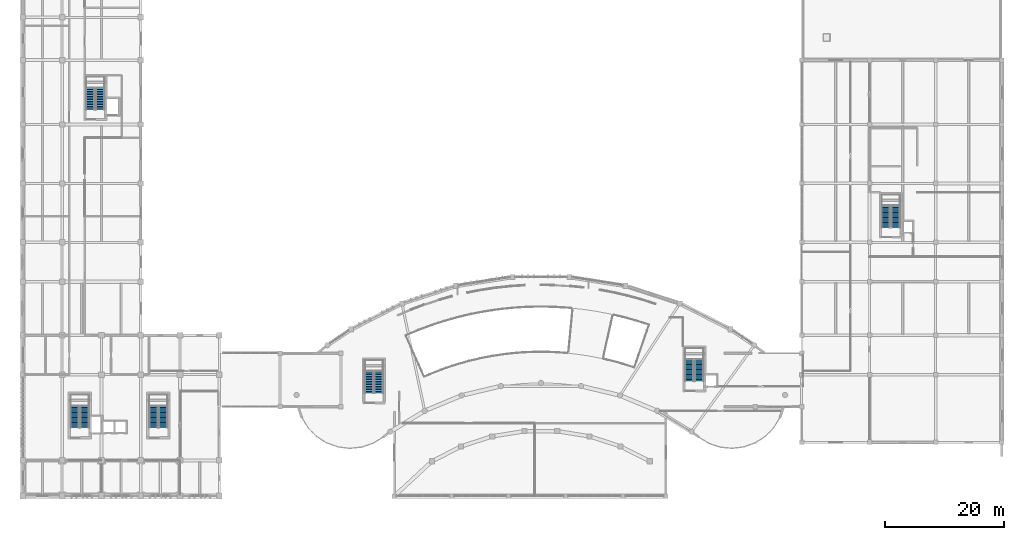
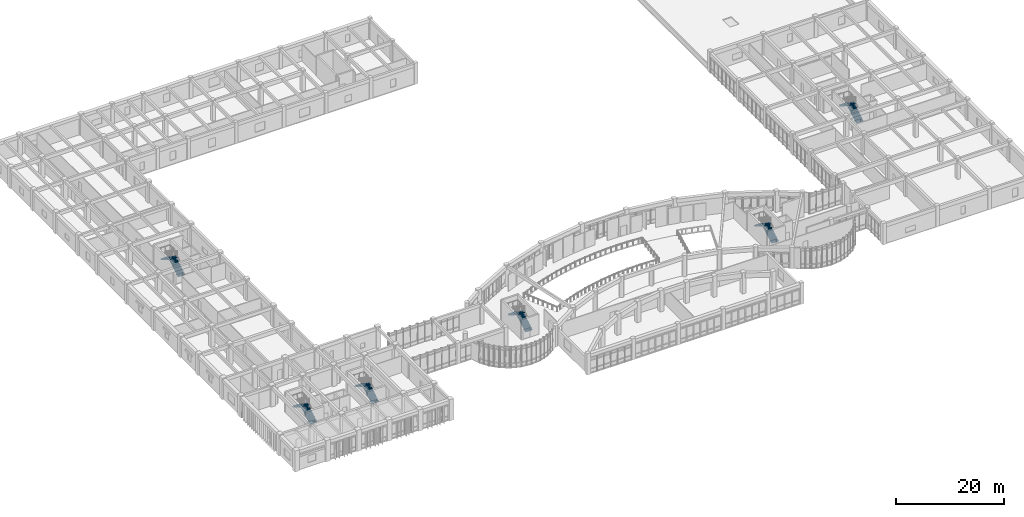
# One storey, part 57 of 68: 12 stair flights, 6 elements without a shape of their own.
"""IFC4 building model written with IfcOpenShell, lengths in metres."""

from ifc_helpers import new_model, si_unit, direction, frame, origin, place, context, subcontext, project, spatial, polyline, outline, extrude, material, layer, layer_set, type_object, element, aggregate, save


model = new_model("IFC4")

# Units and contexts
model_context = context("Model", 3, precision=1e-05, world=origin(), true_north=direction((0.0, 1.0)))
body_context = subcontext(model_context, "Body", "Model", "MODEL_VIEW")
ifc_project = project(units=[si_unit("LENGTHUNIT", "METRE"), si_unit("AREAUNIT", "SQUARE_METRE"), si_unit("VOLUMEUNIT", "CUBIC_METRE"), si_unit("PLANEANGLEUNIT", "RADIAN"), si_unit("MASSUNIT", "GRAM", prefix="KILO")], contexts=[model_context])

# Site, building, storey
site_placement = place(None, origin())
site = spatial("IfcSite", under=ifc_project, at=site_placement, CompositionType="ELEMENT")
building_placement = place(site_placement, origin())
building = spatial("IfcBuilding", under=site, at=building_placement, Name="Miralva Faculty of Natural Sciences", CompositionType="ELEMENT")
storey_placement = place(building_placement, frame((0.0, 0.0, 5.39990234375)))
storey = spatial("IfcBuildingStorey", under=building, at=storey_placement, Name="L01", CompositionType="ELEMENT", Elevation=5.39990234375)

# Stair, stair flights
ifc_material = material(Name="Concrete C40/50", Category="concrete")
stair_type = type_object("IfcStairType", Name="ST-CORE-480", PredefinedType="HALF_TURN_STAIR", material=ifc_material)
stair_1_placement = place(storey_placement, origin())
stair_1 = element("IfcStair", 1, at=stair_1_placement, inside=storey, type_object=stair_type, Name="Exit Stair Core C1 (ST-02) L01", PredefinedType="HALF_TURN_STAIR")
ifc_layer = layer(ifc_material, 0.159912109375, Name="SFL-160-171")
ifc_layer_set = layer_set([ifc_layer], Name="Concrete C40/50")
stair_flight_type = type_object("IfcStairFlightType", Name="SFL-160-171", PredefinedType="STRAIGHT", material=ifc_layer_set)
stair_flight_1_placement = place(storey_placement, frame((13.39990234375, 14.5, 0.0), z_axis=(0.0, 0.0, 1.0), x_axis=(0.0, 1.0, 0.0)))
stair_flight_1 = element("IfcStairFlight", 2, at=stair_flight_1_placement, type_object=stair_flight_type, Name="ST-02 flight 1", NumberOfRisers=14, NumberOfTreads=13, PredefinedType="STRAIGHT", RiserHeight=0.171428571, TreadLength=0.28, context=body_context, shape_type="SweptSolid", body=[
    extrude(outline(polyline([(0.0, 0.0), (0.0, 0.17138671875), (0.280029296875, 0.17138671875), (0.280029296875, 0.3427734375), (0.56005859375, 0.3427734375), (0.56005859375, 0.514404296875), (0.840087890625, 0.514404296875), (0.840087890625, 0.685791015625), (1.1201171875, 0.685791015625), (1.1201171875, 0.857177734375), (1.39990234375, 0.857177734375), (1.39990234375, 1.028564453125), (1.679931640625, 1.028564453125), (1.679931640625, 1.199951171875), (1.9599609375, 1.199951171875), (1.9599609375, 1.371337890625), (2.239990234375, 1.371337890625), (2.239990234375, 1.54296875), (2.52001953125, 1.54296875), (2.52001953125, 1.71435546875), (2.800048828125, 1.71435546875), (2.800048828125, 1.8857421875), (3.080078125, 1.8857421875), (3.080078125, 2.05712890625), (3.360107421875, 2.05712890625), (3.360107421875, 2.228515625), (3.639892578125, 2.228515625), (3.639892578125, 2.39990234375), (3.639892578125, 2.052734375), (0.287109375, 0.0), (0.0, 0.0)])), frame((0.0, 0.75, 0.0), z_axis=(0.0, -1.0, 0.0), x_axis=(1.0, 0.0, 0.0)), (0.0, 0.0, 1.0), 1.5),
])
stair_flight_2_placement = place(storey_placement, frame((11.75, 18.139892578125, 2.400146484375), z_axis=(0.0, 0.0, 1.0), x_axis=(0.0, -1.0, 0.0)))
stair_flight_2 = element("IfcStairFlight", 3, at=stair_flight_2_placement, type_object=stair_flight_type, Name="ST-02 flight 2", NumberOfRisers=14, NumberOfTreads=13, PredefinedType="STRAIGHT", RiserHeight=0.171428571, TreadLength=0.28, context=body_context, shape_type="SweptSolid", body=[
    extrude(outline(polyline([(0.0, 0.0), (0.0, 0.17138671875), (0.280029296875, 0.17138671875), (0.280029296875, 0.3427734375), (0.56005859375, 0.3427734375), (0.56005859375, 0.514404296875), (0.840087890625, 0.514404296875), (0.840087890625, 0.685791015625), (1.1201171875, 0.685791015625), (1.1201171875, 0.857177734375), (1.39990234375, 0.857177734375), (1.39990234375, 1.028564453125), (1.679931640625, 1.028564453125), (1.679931640625, 1.199951171875), (1.9599609375, 1.199951171875), (1.9599609375, 1.371337890625), (2.239990234375, 1.371337890625), (2.239990234375, 1.54296875), (2.52001953125, 1.54296875), (2.52001953125, 1.71435546875), (2.800048828125, 1.71435546875), (2.800048828125, 1.8857421875), (3.080078125, 1.8857421875), (3.080078125, 2.05712890625), (3.360107421875, 2.05712890625), (3.360107421875, 2.228515625), (3.639892578125, 2.228515625), (3.639892578125, 2.39990234375), (3.639892578125, 2.052734375), (0.287109375, 0.0), (0.0, 0.0)])), frame((0.0, 0.75, 0.0), z_axis=(0.0, -1.0, 0.0), x_axis=(1.0, 0.0, 0.0)), (0.0, 0.0, 1.0), 1.5),
])
aggregate(stair_1, [stair_flight_1, stair_flight_2])

stair_2_placement = place(storey_placement, origin())
stair_2 = element("IfcStair", 4, at=stair_2_placement, inside=storey, type_object=stair_type, Name="Exit Stair Core C1B (ST-02) L01", PredefinedType="HALF_TURN_STAIR")
stair_flight_3_placement = place(storey_placement, frame((26.60009765625, 14.5, 0.0), z_axis=(0.0, 0.0, 1.0), x_axis=(0.0, 1.0, 0.0)))
stair_flight_3 = element("IfcStairFlight", 5, at=stair_flight_3_placement, type_object=stair_flight_type, Name="ST-02 flight 1", NumberOfRisers=14, NumberOfTreads=13, PredefinedType="STRAIGHT", RiserHeight=0.171428571, TreadLength=0.28, context=body_context, shape_type="SweptSolid", body=[
    extrude(outline(polyline([(0.0, 0.0), (0.0, 0.17138671875), (0.280029296875, 0.17138671875), (0.280029296875, 0.3427734375), (0.56005859375, 0.3427734375), (0.56005859375, 0.514404296875), (0.840087890625, 0.514404296875), (0.840087890625, 0.685791015625), (1.1201171875, 0.685791015625), (1.1201171875, 0.857177734375), (1.39990234375, 0.857177734375), (1.39990234375, 1.028564453125), (1.679931640625, 1.028564453125), (1.679931640625, 1.199951171875), (1.9599609375, 1.199951171875), (1.9599609375, 1.371337890625), (2.239990234375, 1.371337890625), (2.239990234375, 1.54296875), (2.52001953125, 1.54296875), (2.52001953125, 1.71435546875), (2.800048828125, 1.71435546875), (2.800048828125, 1.8857421875), (3.080078125, 1.8857421875), (3.080078125, 2.05712890625), (3.360107421875, 2.05712890625), (3.360107421875, 2.228515625), (3.639892578125, 2.228515625), (3.639892578125, 2.39990234375), (3.639892578125, 2.052734375), (0.287109375, 0.0), (0.0, 0.0)])), frame((0.0, 0.75, 0.0), z_axis=(0.0, -1.0, 0.0), x_axis=(1.0, 0.0, 0.0)), (0.0, 0.0, 1.0), 1.5),
])
stair_flight_4_placement = place(storey_placement, frame((24.949951171875, 18.139892578125, 2.400146484375), z_axis=(0.0, 0.0, 1.0), x_axis=(0.0, -1.0, 0.0)))
stair_flight_4 = element("IfcStairFlight", 6, at=stair_flight_4_placement, type_object=stair_flight_type, Name="ST-02 flight 2", NumberOfRisers=14, NumberOfTreads=13, PredefinedType="STRAIGHT", RiserHeight=0.171428571, TreadLength=0.28, context=body_context, shape_type="SweptSolid", body=[
    extrude(outline(polyline([(0.0, 0.0), (0.0, 0.17138671875), (0.280029296875, 0.17138671875), (0.280029296875, 0.3427734375), (0.56005859375, 0.3427734375), (0.56005859375, 0.514404296875), (0.840087890625, 0.514404296875), (0.840087890625, 0.685791015625), (1.1201171875, 0.685791015625), (1.1201171875, 0.857177734375), (1.39990234375, 0.857177734375), (1.39990234375, 1.028564453125), (1.679931640625, 1.028564453125), (1.679931640625, 1.199951171875), (1.9599609375, 1.199951171875), (1.9599609375, 1.371337890625), (2.239990234375, 1.371337890625), (2.239990234375, 1.54296875), (2.52001953125, 1.54296875), (2.52001953125, 1.71435546875), (2.800048828125, 1.71435546875), (2.800048828125, 1.8857421875), (3.080078125, 1.8857421875), (3.080078125, 2.05712890625), (3.360107421875, 2.05712890625), (3.360107421875, 2.228515625), (3.639892578125, 2.228515625), (3.639892578125, 2.39990234375), (3.639892578125, 2.052734375), (0.287109375, 0.0), (0.0, 0.0)])), frame((0.0, 0.75, 0.0), z_axis=(0.0, -1.0, 0.0), x_axis=(1.0, 0.0, 0.0)), (0.0, 0.0, 1.0), 1.5),
])
aggregate(stair_2, [stair_flight_3, stair_flight_4])

stair_3_placement = place(storey_placement, origin())
stair_3 = element("IfcStair", 7, at=stair_3_placement, inside=storey, type_object=stair_type, Name="Exit Stair Core C2 (ST-02) L01", PredefinedType="HALF_TURN_STAIR")
stair_flight_5_placement = place(storey_placement, frame((16.0, 67.89990234375, 0.0), z_axis=(0.0, 0.0, 1.0), x_axis=(0.0, 1.0, 0.0)))
stair_flight_5 = element("IfcStairFlight", 8, at=stair_flight_5_placement, type_object=stair_flight_type, Name="ST-02 flight 1", NumberOfRisers=14, NumberOfTreads=13, PredefinedType="STRAIGHT", RiserHeight=0.171428571, TreadLength=0.28, context=body_context, shape_type="SweptSolid", body=[
    extrude(outline(polyline([(0.0, 0.0), (0.0, 0.17138671875), (0.280029296875, 0.17138671875), (0.280029296875, 0.3427734375), (0.56005859375, 0.3427734375), (0.56005859375, 0.514404296875), (0.840087890625, 0.514404296875), (0.840087890625, 0.685791015625), (1.1201171875, 0.685791015625), (1.1201171875, 0.857177734375), (1.39990234375, 0.857177734375), (1.39990234375, 1.028564453125), (1.679931640625, 1.028564453125), (1.679931640625, 1.199951171875), (1.9599609375, 1.199951171875), (1.9599609375, 1.371337890625), (2.239990234375, 1.371337890625), (2.239990234375, 1.54296875), (2.52001953125, 1.54296875), (2.52001953125, 1.71435546875), (2.800048828125, 1.71435546875), (2.800048828125, 1.8857421875), (3.080078125, 1.8857421875), (3.080078125, 2.05712890625), (3.360107421875, 2.05712890625), (3.360107421875, 2.228515625), (3.639892578125, 2.228515625), (3.639892578125, 2.39990234375), (3.639892578125, 2.052734375), (0.287109375, 0.0), (0.0, 0.0)])), frame((0.0, 0.75, 0.0), z_axis=(0.0, -1.0, 0.0), x_axis=(1.0, 0.0, 0.0)), (0.0, 0.0, 1.0), 1.5),
])
stair_flight_6_placement = place(storey_placement, frame((14.35009765625, 71.5400390625, 2.400146484375), z_axis=(0.0, 0.0, 1.0), x_axis=(0.0, -1.0, 0.0)))
stair_flight_6 = element("IfcStairFlight", 9, at=stair_flight_6_placement, type_object=stair_flight_type, Name="ST-02 flight 2", NumberOfRisers=14, NumberOfTreads=13, PredefinedType="STRAIGHT", RiserHeight=0.171428571, TreadLength=0.28, context=body_context, shape_type="SweptSolid", body=[
    extrude(outline(polyline([(0.0, 0.0), (0.0, 0.17138671875), (0.280029296875, 0.17138671875), (0.280029296875, 0.3427734375), (0.56005859375, 0.3427734375), (0.56005859375, 0.514404296875), (0.840087890625, 0.514404296875), (0.840087890625, 0.685791015625), (1.1201171875, 0.685791015625), (1.1201171875, 0.857177734375), (1.39990234375, 0.857177734375), (1.39990234375, 1.028564453125), (1.679931640625, 1.028564453125), (1.679931640625, 1.199951171875), (1.9599609375, 1.199951171875), (1.9599609375, 1.371337890625), (2.239990234375, 1.371337890625), (2.239990234375, 1.54296875), (2.52001953125, 1.54296875), (2.52001953125, 1.71435546875), (2.800048828125, 1.71435546875), (2.800048828125, 1.8857421875), (3.080078125, 1.8857421875), (3.080078125, 2.05712890625), (3.360107421875, 2.05712890625), (3.360107421875, 2.228515625), (3.639892578125, 2.228515625), (3.639892578125, 2.39990234375), (3.639892578125, 2.052734375), (0.287109375, 0.0), (0.0, 0.0)])), frame((0.0, 0.75, 0.0), z_axis=(0.0, -1.0, 0.0), x_axis=(1.0, 0.0, 0.0)), (0.0, 0.0, 1.0), 1.5),
])
aggregate(stair_3, [stair_flight_5, stair_flight_6])

stair_4_placement = place(storey_placement, origin())
stair_4 = element("IfcStair", 10, at=stair_4_placement, inside=storey, type_object=stair_type, Name="Exit Stair Core C3 (ST-02) L01", PredefinedType="HALF_TURN_STAIR")
stair_flight_7_placement = place(storey_placement, frame((116.60009765625, 22.300048828125, 0.0), z_axis=(0.0, 0.0, 1.0), x_axis=(0.0, 1.0, 0.0)))
stair_flight_7 = element("IfcStairFlight", 11, at=stair_flight_7_placement, type_object=stair_flight_type, Name="ST-02 flight 1", NumberOfRisers=14, NumberOfTreads=13, PredefinedType="STRAIGHT", RiserHeight=0.171428571, TreadLength=0.28, context=body_context, shape_type="SweptSolid", body=[
    extrude(outline(polyline([(0.0, 0.0), (0.0, 0.17138671875), (0.280029296875, 0.17138671875), (0.280029296875, 0.3427734375), (0.56005859375, 0.3427734375), (0.56005859375, 0.514404296875), (0.840087890625, 0.514404296875), (0.840087890625, 0.685791015625), (1.1201171875, 0.685791015625), (1.1201171875, 0.857177734375), (1.39990234375, 0.857177734375), (1.39990234375, 1.028564453125), (1.679931640625, 1.028564453125), (1.679931640625, 1.199951171875), (1.9599609375, 1.199951171875), (1.9599609375, 1.371337890625), (2.239990234375, 1.371337890625), (2.239990234375, 1.54296875), (2.52001953125, 1.54296875), (2.52001953125, 1.71435546875), (2.800048828125, 1.71435546875), (2.800048828125, 1.8857421875), (3.080078125, 1.8857421875), (3.080078125, 2.05712890625), (3.360107421875, 2.05712890625), (3.360107421875, 2.228515625), (3.639892578125, 2.228515625), (3.639892578125, 2.39990234375), (3.639892578125, 2.052734375), (0.287109375, 0.0), (0.0, 0.0)])), frame((0.0, 0.75, 0.0), z_axis=(0.0, -1.0, 0.0), x_axis=(1.0, 0.0, 0.0)), (0.0, 0.0, 1.0), 1.5),
])
stair_flight_8_placement = place(storey_placement, frame((114.949951171875, 25.93994140625, 2.400146484375), z_axis=(0.0, 0.0, 1.0), x_axis=(0.0, -1.0, 0.0)))
stair_flight_8 = element("IfcStairFlight", 12, at=stair_flight_8_placement, type_object=stair_flight_type, Name="ST-02 flight 2", NumberOfRisers=14, NumberOfTreads=13, PredefinedType="STRAIGHT", RiserHeight=0.171428571, TreadLength=0.28, context=body_context, shape_type="SweptSolid", body=[
    extrude(outline(polyline([(0.0, 0.0), (0.0, 0.17138671875), (0.280029296875, 0.17138671875), (0.280029296875, 0.3427734375), (0.56005859375, 0.3427734375), (0.56005859375, 0.514404296875), (0.840087890625, 0.514404296875), (0.840087890625, 0.685791015625), (1.1201171875, 0.685791015625), (1.1201171875, 0.857177734375), (1.39990234375, 0.857177734375), (1.39990234375, 1.028564453125), (1.679931640625, 1.028564453125), (1.679931640625, 1.199951171875), (1.9599609375, 1.199951171875), (1.9599609375, 1.371337890625), (2.239990234375, 1.371337890625), (2.239990234375, 1.54296875), (2.52001953125, 1.54296875), (2.52001953125, 1.71435546875), (2.800048828125, 1.71435546875), (2.800048828125, 1.8857421875), (3.080078125, 1.8857421875), (3.080078125, 2.05712890625), (3.360107421875, 2.05712890625), (3.360107421875, 2.228515625), (3.639892578125, 2.228515625), (3.639892578125, 2.39990234375), (3.639892578125, 2.052734375), (0.287109375, 0.0), (0.0, 0.0)])), frame((0.0, 0.75, 0.0), z_axis=(0.0, -1.0, 0.0), x_axis=(1.0, 0.0, 0.0)), (0.0, 0.0, 1.0), 1.5),
])
aggregate(stair_4, [stair_flight_7, stair_flight_8])

stair_5_placement = place(storey_placement, origin())
stair_5 = element("IfcStair", 13, at=stair_5_placement, inside=storey, type_object=stair_type, Name="Exit Stair Core C4 (ST-02) L01", PredefinedType="HALF_TURN_STAIR")
stair_flight_9_placement = place(storey_placement, frame((149.60009765625, 48.10009765625, 0.0), z_axis=(0.0, 0.0, 1.0), x_axis=(0.0, 1.0, 0.0)))
stair_flight_9 = element("IfcStairFlight", 14, at=stair_flight_9_placement, type_object=stair_flight_type, Name="ST-02 flight 1", NumberOfRisers=14, NumberOfTreads=13, PredefinedType="STRAIGHT", RiserHeight=0.171428571, TreadLength=0.28, context=body_context, shape_type="SweptSolid", body=[
    extrude(outline(polyline([(0.0, 0.0), (0.0, 0.17138671875), (0.280029296875, 0.17138671875), (0.280029296875, 0.3427734375), (0.56005859375, 0.3427734375), (0.56005859375, 0.514404296875), (0.840087890625, 0.514404296875), (0.840087890625, 0.685791015625), (1.1201171875, 0.685791015625), (1.1201171875, 0.857177734375), (1.39990234375, 0.857177734375), (1.39990234375, 1.028564453125), (1.679931640625, 1.028564453125), (1.679931640625, 1.199951171875), (1.9599609375, 1.199951171875), (1.9599609375, 1.371337890625), (2.239990234375, 1.371337890625), (2.239990234375, 1.54296875), (2.52001953125, 1.54296875), (2.52001953125, 1.71435546875), (2.800048828125, 1.71435546875), (2.800048828125, 1.8857421875), (3.080078125, 1.8857421875), (3.080078125, 2.05712890625), (3.360107421875, 2.05712890625), (3.360107421875, 2.228515625), (3.639892578125, 2.228515625), (3.639892578125, 2.39990234375), (3.639892578125, 2.052734375), (0.287109375, 0.0), (0.0, 0.0)])), frame((0.0, 0.75, 0.0), z_axis=(0.0, -1.0, 0.0), x_axis=(1.0, 0.0, 0.0)), (0.0, 0.0, 1.0), 1.5),
])
stair_flight_10_placement = place(storey_placement, frame((147.949951171875, 51.739990234375, 2.400146484375), z_axis=(0.0, 0.0, 1.0), x_axis=(0.0, -1.0, 0.0)))
stair_flight_10 = element("IfcStairFlight", 15, at=stair_flight_10_placement, type_object=stair_flight_type, Name="ST-02 flight 2", NumberOfRisers=14, NumberOfTreads=13, PredefinedType="STRAIGHT", RiserHeight=0.171428571, TreadLength=0.28, context=body_context, shape_type="SweptSolid", body=[
    extrude(outline(polyline([(0.0, 0.0), (0.0, 0.17138671875), (0.280029296875, 0.17138671875), (0.280029296875, 0.3427734375), (0.56005859375, 0.3427734375), (0.56005859375, 0.514404296875), (0.840087890625, 0.514404296875), (0.840087890625, 0.685791015625), (1.1201171875, 0.685791015625), (1.1201171875, 0.857177734375), (1.39990234375, 0.857177734375), (1.39990234375, 1.028564453125), (1.679931640625, 1.028564453125), (1.679931640625, 1.199951171875), (1.9599609375, 1.199951171875), (1.9599609375, 1.371337890625), (2.239990234375, 1.371337890625), (2.239990234375, 1.54296875), (2.52001953125, 1.54296875), (2.52001953125, 1.71435546875), (2.800048828125, 1.71435546875), (2.800048828125, 1.8857421875), (3.080078125, 1.8857421875), (3.080078125, 2.05712890625), (3.360107421875, 2.05712890625), (3.360107421875, 2.228515625), (3.639892578125, 2.228515625), (3.639892578125, 2.39990234375), (3.639892578125, 2.052734375), (0.287109375, 0.0), (0.0, 0.0)])), frame((0.0, 0.75, 0.0), z_axis=(0.0, -1.0, 0.0), x_axis=(1.0, 0.0, 0.0)), (0.0, 0.0, 1.0), 1.5),
])
aggregate(stair_5, [stair_flight_9, stair_flight_10])

stair_6_placement = place(storey_placement, origin())
stair_6 = element("IfcStair", 16, at=stair_6_placement, inside=storey, type_object=stair_type, Name="Exit Stair Core C6 (ST-02) L01", PredefinedType="HALF_TURN_STAIR")
stair_flight_11_placement = place(storey_placement, frame((62.800048828125, 20.300048828125, 0.0), z_axis=(0.0, 0.0, 1.0), x_axis=(0.0, 1.0, 0.0)))
stair_flight_11 = element("IfcStairFlight", 17, at=stair_flight_11_placement, type_object=stair_flight_type, Name="ST-02 flight 1", NumberOfRisers=14, NumberOfTreads=13, PredefinedType="STRAIGHT", RiserHeight=0.171428571, TreadLength=0.28, context=body_context, shape_type="SweptSolid", body=[
    extrude(outline(polyline([(0.0, 0.0), (0.0, 0.17138671875), (0.280029296875, 0.17138671875), (0.280029296875, 0.3427734375), (0.56005859375, 0.3427734375), (0.56005859375, 0.514404296875), (0.840087890625, 0.514404296875), (0.840087890625, 0.685791015625), (1.1201171875, 0.685791015625), (1.1201171875, 0.857177734375), (1.39990234375, 0.857177734375), (1.39990234375, 1.028564453125), (1.679931640625, 1.028564453125), (1.679931640625, 1.199951171875), (1.9599609375, 1.199951171875), (1.9599609375, 1.371337890625), (2.239990234375, 1.371337890625), (2.239990234375, 1.54296875), (2.52001953125, 1.54296875), (2.52001953125, 1.71435546875), (2.800048828125, 1.71435546875), (2.800048828125, 1.8857421875), (3.080078125, 1.8857421875), (3.080078125, 2.05712890625), (3.360107421875, 2.05712890625), (3.360107421875, 2.228515625), (3.639892578125, 2.228515625), (3.639892578125, 2.39990234375), (3.639892578125, 2.052734375), (0.287109375, 0.0), (0.0, 0.0)])), frame((0.0, 0.75, 0.0), z_axis=(0.0, -1.0, 0.0), x_axis=(1.0, 0.0, 0.0)), (0.0, 0.0, 1.0), 1.5),
])
stair_flight_12_placement = place(storey_placement, frame((61.14990234375, 23.93994140625, 2.400146484375), z_axis=(0.0, 0.0, 1.0), x_axis=(0.0, -1.0, 0.0)))
stair_flight_12 = element("IfcStairFlight", 18, at=stair_flight_12_placement, type_object=stair_flight_type, Name="ST-02 flight 2", NumberOfRisers=14, NumberOfTreads=13, PredefinedType="STRAIGHT", RiserHeight=0.171428571, TreadLength=0.28, context=body_context, shape_type="SweptSolid", body=[
    extrude(outline(polyline([(0.0, 0.0), (0.0, 0.17138671875), (0.280029296875, 0.17138671875), (0.280029296875, 0.3427734375), (0.56005859375, 0.3427734375), (0.56005859375, 0.514404296875), (0.840087890625, 0.514404296875), (0.840087890625, 0.685791015625), (1.1201171875, 0.685791015625), (1.1201171875, 0.857177734375), (1.39990234375, 0.857177734375), (1.39990234375, 1.028564453125), (1.679931640625, 1.028564453125), (1.679931640625, 1.199951171875), (1.9599609375, 1.199951171875), (1.9599609375, 1.371337890625), (2.239990234375, 1.371337890625), (2.239990234375, 1.54296875), (2.52001953125, 1.54296875), (2.52001953125, 1.71435546875), (2.800048828125, 1.71435546875), (2.800048828125, 1.8857421875), (3.080078125, 1.8857421875), (3.080078125, 2.05712890625), (3.360107421875, 2.05712890625), (3.360107421875, 2.228515625), (3.639892578125, 2.228515625), (3.639892578125, 2.39990234375), (3.639892578125, 2.052734375), (0.287109375, 0.0), (0.0, 0.0)])), frame((0.0, 0.75, 0.0), z_axis=(0.0, -1.0, 0.0), x_axis=(1.0, 0.0, 0.0)), (0.0, 0.0, 1.0), 1.5),
])
aggregate(stair_6, [stair_flight_11, stair_flight_12])

save(model, "model.ifc")
